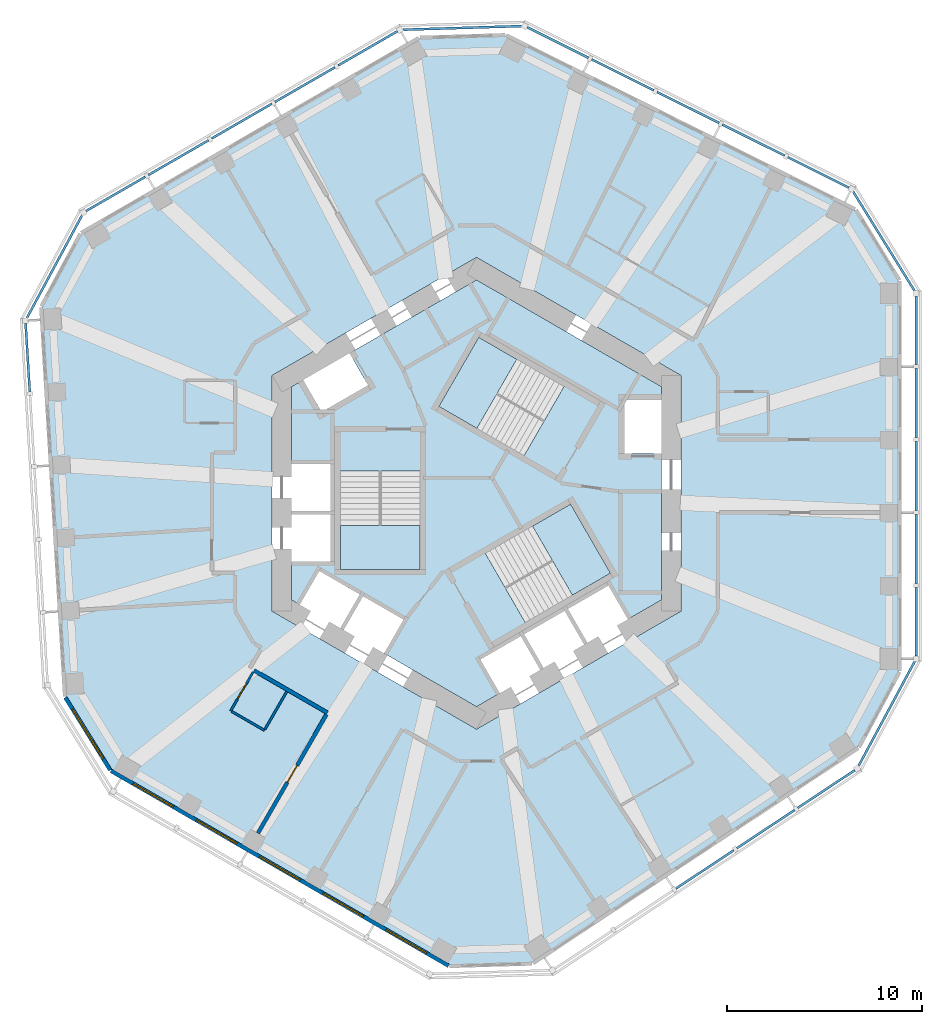
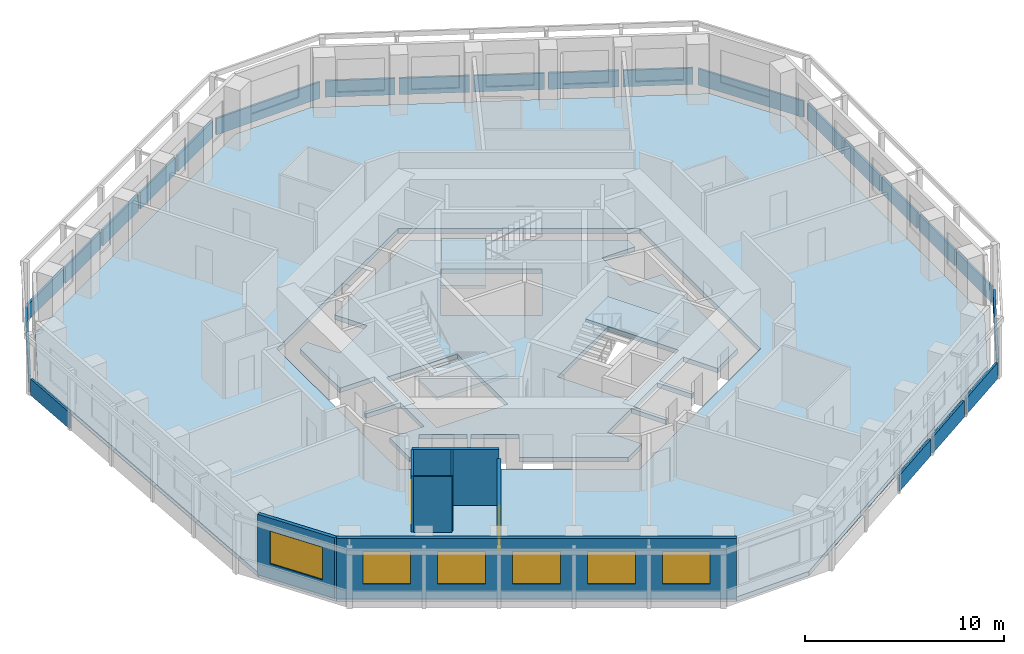
# One storey, part 3 of 11: 23 plates, 7 walls, 6 windows, 5 slabs, 2 doors, 8 openings, 12 elements without a shape of their own.
"""IFC4 building model written with IfcOpenShell, lengths in metres."""

from ifc_helpers import new_model, si_unit, direction, frame, frame_2d, origin, origin_2d, place, context, subcontext, project, spatial, polyline, rectangle, outline, extrude, material, layer, layer_set, type_object, element, fill, aggregate, save


model = new_model("IFC4")

# Units and contexts
model_context = context("Model", 3, precision=1e-05, world=origin(), true_north=direction((0.0, 1.0)))
body_context = subcontext(model_context, "Body", "Model", "MODEL_VIEW")
ifc_project = project(units=[si_unit("LENGTHUNIT", "METRE"), si_unit("AREAUNIT", "SQUARE_METRE"), si_unit("VOLUMEUNIT", "CUBIC_METRE"), si_unit("PLANEANGLEUNIT", "RADIAN"), si_unit("MASSUNIT", "GRAM", prefix="KILO")], contexts=[model_context])

# Site, building, storey
site_placement = place(None, origin())
site = spatial("IfcSite", under=ifc_project, at=site_placement, CompositionType="ELEMENT")
building_placement = place(site_placement, origin())
building = spatial("IfcBuilding", under=site, at=building_placement, Name="Vanh Sen Convention Tower", CompositionType="ELEMENT")
storey_placement = place(building_placement, frame((0.0, 0.0, 179.89990234375)))
storey = spatial("IfcBuildingStorey", under=building, at=storey_placement, Name="L44", CompositionType="ELEMENT", Elevation=179.89990234375)

# Slabs
ifc_material_1 = material(Name="Concrete C40/50", Category="concrete")
ifc_layer_1 = layer(ifc_material_1, 0.280029296875)
ifc_layer_set_1 = layer_set([ifc_layer_1], Name="Concrete C40/50")
slab_type_1 = type_object("IfcSlabType", Name="Core slab 280", PredefinedType="FLOOR", material=ifc_layer_set_1)
slab_1_placement = place(storey_placement, frame((0.0, 0.0, -0.27978515625)))
element("IfcSlab", 1, at=slab_1_placement, inside=storey, type_object=slab_type_1, Name="Core slab L44", PredefinedType="FLOOR", context=body_context, shape_type="SweptSolid", body=[
    extrude(outline(polyline([(0.0, 10.9697265625), (9.5, 5.48486328125), (9.5, 4.800048828125), (7.60009765625, 4.800048828125), (7.60009765625, 2.050048828125), (9.5, 2.050048828125), (9.5, -5.48486328125), (7.781005859375, -6.477294921875), (6.781005859375, -4.7451171875), (4.70263671875, -5.9453125), (5.70263671875, -7.67724609375), (5.529296875, -7.777099609375), (4.529296875, -6.045166015625), (2.450927734375, -7.2451171875), (3.450927734375, -8.977294921875), (3.27783203125, -9.0771484375), (2.27783203125, -7.34521484375), (0.19921875, -8.545166015625), (1.19921875, -10.277099609375), (0.0, -10.9697265625), (-4.75, -8.227294921875), (-3.75, -6.4951171875), (-5.82861328125, -5.295166015625), (-6.82861328125, -7.027099609375), (-7.001708984375, -6.92724609375), (-6.001708984375, -5.1953125), (-8.080078125, -3.9951171875), (-9.080078125, -5.727294921875), (-9.5, -5.48486328125), (-9.5, -3.5), (-7.5, -3.5), (-7.5, -1.10009765625), (-9.5, -1.10009765625), (-9.5, -0.89990234375), (-7.5, -0.89990234375), (-7.5, 1.5), (-9.5, 1.5), (-9.5, 5.48486328125), (-8.906982421875, 5.8271484375), (-7.956787109375, 4.181884765625), (-5.575439453125, 5.556884765625), (-6.525390625, 7.2021484375), (0.0, 10.9697265625)]), holes=[polyline([(-7.0, 1.1494140625), (-7.0, -3.909912109375), (-2.89990234375, -3.909912109375), (-2.89990234375, 1.1494140625), (-7.0, 1.1494140625)]), polyline([(2.504638671875, -6.63671875), (6.88623046875, -4.107177734375), (4.836181640625, -0.556396484375), (0.45458984375, -3.086181640625), (2.504638671875, -6.63671875)]), polyline([(0.11376953125, 8.01708984375), (-1.936279296875, 4.466552734375), (2.4453125, 1.936767578125), (4.495361328125, 5.487548828125), (0.11376953125, 8.01708984375)])]), origin(), (0.0, 0.0, 1.0), 0.27978515625),
])
ifc_layer_2 = layer(ifc_material_1, 0.280029296875)
ifc_layer_set_2 = layer_set([ifc_layer_2], Name="Concrete C40/50")
slab_type_2 = type_object("IfcSlabType", Name="Floor slab 280 REI 120", PredefinedType="FLOOR", material=ifc_layer_set_2)
slab_2_placement = place(storey_placement, frame((0.0, 0.0, -0.27978515625)))
element("IfcSlab", 2, at=slab_2_placement, inside=storey, type_object=slab_type_2, Name="Floor slab L44 tower", PredefinedType="FLOOR", context=body_context, shape_type="SweptSolid", body=[
    extrude(outline(polyline([(21.699951171875, -9.15087890625), (21.699951171875, 10.91943359375), (19.454833984375, 14.5478515625), (1.492919921875, 23.503173828125), (-2.925048828125, 23.368408203125), (-20.306640625, 13.3330078125), (-22.326171875, 9.574462890625), (-21.100830078125, -10.458740234375), (-18.77490234375, -14.21728515625), (-1.393310546875, -24.25244140625), (2.871337890625, -24.122314453125), (19.60791015625, -13.04443359375), (21.699951171875, -9.15087890625)]), holes=[polyline([(0.0, 12.12451171875), (-10.5, 6.062255859375), (-10.5, -6.062255859375), (0.0, -12.12451171875), (10.5, -6.062255859375), (10.5, 6.062255859375), (0.0, 12.12451171875)])]), origin(), (0.0, 0.0, 1.0), 0.27978515625),
])

# Curtain wall, plates
ifc_material_2 = material(Name="Concrete C50/60", Category="concrete")
curtain_wall_type = type_object("IfcCurtainWallType", Name="Outer skin office zone", PredefinedType="NOTDEFINED", material=ifc_material_2)
curtain_wall_1_placement = place(storey_placement, origin())
curtain_wall_1 = element("IfcCurtainWall", 3, at=curtain_wall_1_placement, inside=storey, type_object=curtain_wall_type, Name="OUTER SKIN E L44", PredefinedType="NOTDEFINED")
ifc_layer_3 = layer(ifc_material_2, 0.1201171875)
ifc_layer_set_3 = layer_set([ifc_layer_3], Name="Concrete C50/60")
plate_type = type_object("IfcPlateType", Name="Outer skin precast screen panel 120", PredefinedType="CURTAIN_PANEL", material=ifc_layer_set_3)
plate_1_placement = place(storey_placement, frame((22.60009765625, -6.59912109375, 0.0), z_axis=(0.0, 0.0, 1.0), x_axis=(0.0, 1.0, 0.0)))
plate_1 = element("IfcPlate", 4, at=plate_1_placement, type_object=plate_type, Name="OUTER SKIN screen panel E-1", PredefinedType="CURTAIN_PANEL", context=body_context, shape_type="SweptSolid", body=[
    extrude(rectangle(XDim=3.504150390625, YDim=0.1201171875, at=origin_2d()), origin(), (0.0, 0.0, 1.0), 1.0),
])
plate_2_placement = place(storey_placement, frame((22.60009765625, -2.869873046875, 0.0), z_axis=(0.0, 0.0, 1.0), x_axis=(0.0, 1.0, 0.0)))
plate_2 = element("IfcPlate", 5, at=plate_2_placement, type_object=plate_type, Name="OUTER SKIN screen panel E-2", PredefinedType="CURTAIN_PANEL", context=body_context, shape_type="SweptSolid", body=[
    extrude(rectangle(XDim=3.55419921875, YDim=0.1201171875, at=origin_2d()), origin(), (0.0, 0.0, 1.0), 1.0),
])
plate_3_placement = place(storey_placement, frame((22.60009765625, 0.88427734375, 0.0), z_axis=(0.0, 0.0, 1.0), x_axis=(0.0, 1.0, 0.0)))
plate_3 = element("IfcPlate", 6, at=plate_3_placement, type_object=plate_type, Name="OUTER SKIN screen panel E-3", PredefinedType="CURTAIN_PANEL", context=body_context, shape_type="SweptSolid", body=[
    extrude(rectangle(XDim=3.55419921875, YDim=0.1201171875, at=origin_2d()), origin(), (0.0, 0.0, 1.0), 1.0),
])
plate_4_placement = place(storey_placement, frame((22.60009765625, 4.63818359375, 0.0), z_axis=(0.0, 0.0, 1.0), x_axis=(0.0, 1.0, 0.0)))
plate_4 = element("IfcPlate", 7, at=plate_4_placement, type_object=plate_type, Name="OUTER SKIN screen panel E-4", PredefinedType="CURTAIN_PANEL", context=body_context, shape_type="SweptSolid", body=[
    extrude(rectangle(XDim=3.55419921875, YDim=0.1201171875, at=origin_2d()), origin(), (0.0, 0.0, 1.0), 1.0),
])
plate_5_placement = place(storey_placement, frame((22.60009765625, 8.367431640625, 0.0), z_axis=(0.0, 0.0, 1.0), x_axis=(0.0, 1.0, 0.0)))
plate_5 = element("IfcPlate", 8, at=plate_5_placement, type_object=plate_type, Name="OUTER SKIN screen panel E-5", PredefinedType="CURTAIN_PANEL", context=body_context, shape_type="SweptSolid", body=[
    extrude(rectangle(XDim=3.504150390625, YDim=0.1201171875, at=origin_2d()), origin(), (0.0, 0.0, 1.0), 1.0),
])
aggregate(curtain_wall_1, [plate_1, plate_2, plate_3, plate_4, plate_5])

# Curtain wall, plate
curtain_wall_2_placement = place(storey_placement, origin())
curtain_wall_2 = element("IfcCurtainWall", 9, at=curtain_wall_2_placement, inside=storey, type_object=curtain_wall_type, Name="OUTER SKIN CH1 L44", PredefinedType="NOTDEFINED")
plate_6_placement = place(storey_placement, frame((20.937255859375, 12.956298828125, 0.0), z_axis=(0.0, 0.0, 1.0), x_axis=(-0.5262035346, 0.850358653848, 0.0)))
plate_6 = element("IfcPlate", 10, at=plate_6_placement, type_object=plate_type, Name="OUTER SKIN screen panel CH1-1", PredefinedType="CURTAIN_PANEL", context=body_context, shape_type="SweptSolid", body=[
    extrude(rectangle(XDim=6.01953125, YDim=0.1201171875, at=origin_2d()), origin(), (0.0, 0.0, 1.0), 1.0),
])
aggregate(curtain_wall_2, [plate_6])

# Curtain wall, plates
curtain_wall_3_placement = place(storey_placement, origin())
curtain_wall_3 = element("IfcCurtainWall", 11, at=curtain_wall_3_placement, inside=storey, type_object=curtain_wall_type, Name="OUTER SKIN NE L44", PredefinedType="NOTDEFINED")
plate_7_placement = place(storey_placement, frame((17.572509765625, 16.491943359375, 0.0), z_axis=(0.0, 0.0, 1.0), x_axis=(-0.894943706551, 0.446179069551, 0.0)))
plate_7 = element("IfcPlate", 12, at=plate_7_placement, type_object=plate_type, Name="OUTER SKIN screen panel NE-1", PredefinedType="CURTAIN_PANEL", context=body_context, shape_type="SweptSolid", body=[
    extrude(rectangle(XDim=3.504150390625, YDim=0.1201171875, at=origin_2d()), origin(), (0.0, 0.0, 1.0), 1.0),
])
plate_8_placement = place(storey_placement, frame((14.235107421875, 18.156005859375, 0.0), z_axis=(0.0, 0.0, 1.0), x_axis=(-0.894932804072, 0.446200937017, 0.0)))
plate_8 = element("IfcPlate", 13, at=plate_8_placement, type_object=plate_type, Name="OUTER SKIN screen panel NE-2", PredefinedType="CURTAIN_PANEL", context=body_context, shape_type="SweptSolid", body=[
    extrude(rectangle(XDim=3.55419921875, YDim=0.1201171875, at=origin_2d()), origin(), (0.0, 0.0, 1.0), 1.0),
])
plate_9_placement = place(storey_placement, frame((10.87548828125, 19.8310546875, 0.0), z_axis=(0.0, 0.0, 1.0), x_axis=(-0.894932804072, 0.446200937017, 0.0)))
plate_9 = element("IfcPlate", 14, at=plate_9_placement, type_object=plate_type, Name="OUTER SKIN screen panel NE-3", PredefinedType="CURTAIN_PANEL", context=body_context, shape_type="SweptSolid", body=[
    extrude(rectangle(XDim=3.55419921875, YDim=0.1201171875, at=origin_2d()), origin(), (0.0, 0.0, 1.0), 1.0),
])
plate_10_placement = place(storey_placement, frame((7.515625, 21.506103515625, 0.0), z_axis=(0.0, 0.0, 1.0), x_axis=(-0.894932804072, 0.446200937017, 0.0)))
plate_10 = element("IfcPlate", 15, at=plate_10_placement, type_object=plate_type, Name="OUTER SKIN screen panel NE-4", PredefinedType="CURTAIN_PANEL", context=body_context, shape_type="SweptSolid", body=[
    extrude(rectangle(XDim=3.55419921875, YDim=0.1201171875, at=origin_2d()), origin(), (0.0, 0.0, 1.0), 1.0),
])
plate_11_placement = place(storey_placement, frame((4.178466796875, 23.169921875, 0.0), z_axis=(0.0, 0.0, 1.0), x_axis=(-0.894943706551, 0.446179069551, 0.0)))
plate_11 = element("IfcPlate", 16, at=plate_11_placement, type_object=plate_type, Name="OUTER SKIN screen panel NE-5", PredefinedType="CURTAIN_PANEL", context=body_context, shape_type="SweptSolid", body=[
    extrude(rectangle(XDim=3.504150390625, YDim=0.1201171875, at=origin_2d()), origin(), (0.0, 0.0, 1.0), 1.0),
])
aggregate(curtain_wall_3, [plate_7, plate_8, plate_9, plate_10, plate_11])

# Curtain wall, plate
curtain_wall_4_placement = place(storey_placement, origin())
curtain_wall_4 = element("IfcCurtainWall", 17, at=curtain_wall_4_placement, inside=storey, type_object=curtain_wall_type, Name="OUTER SKIN CH2 L44", PredefinedType="NOTDEFINED")
plate_12_placement = place(storey_placement, frame((-0.73095703125, 23.920654296875, 0.0), z_axis=(0.0, 0.0, 1.0), x_axis=(-0.999533590837, -0.03053851321, 0.0)))
plate_12 = element("IfcPlate", 18, at=plate_12_placement, type_object=plate_type, Name="OUTER SKIN screen panel CH2-1", PredefinedType="CURTAIN_PANEL", context=body_context, shape_type="SweptSolid", body=[
    extrude(rectangle(XDim=6.1171875, YDim=0.1201171875, at=origin_2d()), origin(), (0.0, 0.0, 1.0), 1.0),
])
aggregate(curtain_wall_4, [plate_12])

# Curtain wall, plates
curtain_wall_5_placement = place(storey_placement, origin())
curtain_wall_5 = element("IfcCurtainWall", 19, at=curtain_wall_5_placement, inside=storey, type_object=curtain_wall_type, Name="OUTER SKIN NW L44", PredefinedType="NOTDEFINED")
plate_13_placement = place(storey_placement, frame((-5.585205078125, 22.87158203125, 0.0), z_axis=(0.0, 0.0, 1.0), x_axis=(-0.866035002936, -0.499983373414, 0.0)))
plate_13 = element("IfcPlate", 20, at=plate_13_placement, type_object=plate_type, Name="OUTER SKIN screen panel NW-1", PredefinedType="CURTAIN_PANEL", context=body_context, shape_type="SweptSolid", body=[
    extrude(rectangle(XDim=3.504150390625, YDim=0.1201171875, at=origin_2d()), origin(), (0.0, 0.0, 1.0), 1.0),
])
plate_14_placement = place(storey_placement, frame((-8.814697265625, 21.007080078125, 0.0), z_axis=(0.0, 0.0, 1.0), x_axis=(-0.866016677006, -0.500015114919, 0.0)))
plate_14 = element("IfcPlate", 21, at=plate_14_placement, type_object=plate_type, Name="OUTER SKIN screen panel NW-2", PredefinedType="CURTAIN_PANEL", context=body_context, shape_type="SweptSolid", body=[
    extrude(rectangle(XDim=3.55419921875, YDim=0.1201171875, at=origin_2d()), origin(), (0.0, 0.0, 1.0), 1.0),
])
plate_15_placement = place(storey_placement, frame((-12.06591796875, 19.1298828125, 0.0), z_axis=(0.0, 0.0, 1.0), x_axis=(-0.866035002936, -0.499983373414, 0.0)))
plate_15 = element("IfcPlate", 22, at=plate_15_placement, type_object=plate_type, Name="OUTER SKIN screen panel NW-3", PredefinedType="CURTAIN_PANEL", context=body_context, shape_type="SweptSolid", body=[
    extrude(rectangle(XDim=3.55419921875, YDim=0.1201171875, at=origin_2d()), origin(), (0.0, 0.0, 1.0), 1.0),
])
plate_16_placement = place(storey_placement, frame((-15.31689453125, 17.2529296875, 0.0), z_axis=(0.0, 0.0, 1.0), x_axis=(-0.866016677006, -0.500015114919, 0.0)))
plate_16 = element("IfcPlate", 23, at=plate_16_placement, type_object=plate_type, Name="OUTER SKIN screen panel NW-4", PredefinedType="CURTAIN_PANEL", context=body_context, shape_type="SweptSolid", body=[
    extrude(rectangle(XDim=3.55419921875, YDim=0.1201171875, at=origin_2d()), origin(), (0.0, 0.0, 1.0), 1.0),
])
plate_17_placement = place(storey_placement, frame((-18.54638671875, 15.388427734375, 0.0), z_axis=(0.0, 0.0, 1.0), x_axis=(-0.866035002936, -0.499983373414, 0.0)))
plate_17 = element("IfcPlate", 24, at=plate_17_placement, type_object=plate_type, Name="OUTER SKIN screen panel NW-5", PredefinedType="CURTAIN_PANEL", context=body_context, shape_type="SweptSolid", body=[
    extrude(rectangle(XDim=3.504150390625, YDim=0.1201171875, at=origin_2d()), origin(), (0.0, 0.0, 1.0), 1.0),
])
aggregate(curtain_wall_5, [plate_13, plate_14, plate_15, plate_16, plate_17])

# Curtain wall, plate
curtain_wall_6_placement = place(storey_placement, origin())
curtain_wall_6 = element("IfcCurtainWall", 25, at=curtain_wall_6_placement, inside=storey, type_object=curtain_wall_type, Name="OUTER SKIN CH3 L44", PredefinedType="NOTDEFINED")
plate_18_placement = place(storey_placement, frame((-21.689208984375, 11.654052734375, 0.0), z_axis=(0.0, 0.0, 1.0), x_axis=(-0.47331812974, -0.880891564303, 0.0)))
plate_18 = element("IfcPlate", 26, at=plate_18_placement, type_object=plate_type, Name="OUTER SKIN screen panel CH3-1", PredefinedType="CURTAIN_PANEL", context=body_context, shape_type="SweptSolid", body=[
    extrude(rectangle(XDim=6.019287109375, YDim=0.1201171875, at=origin_2d()), origin(), (0.0, 0.0, 1.0), 1.0),
])
aggregate(curtain_wall_6, [plate_18])

curtain_wall_7_placement = place(storey_placement, origin())
curtain_wall_7 = element("IfcCurtainWall", 27, at=curtain_wall_7_placement, inside=storey, type_object=curtain_wall_type, Name="OUTER SKIN W L44", PredefinedType="NOTDEFINED")
plate_19_placement = place(storey_placement, frame((-23.068603515625, 6.97216796875, 0.0), z_axis=(0.0, 0.0, 1.0), x_axis=(0.061053765756, -0.998134478759, 0.0)))
plate_19 = element("IfcPlate", 28, at=plate_19_placement, type_object=plate_type, Name="OUTER SKIN screen panel W-1", PredefinedType="CURTAIN_PANEL", context=body_context, shape_type="SweptSolid", body=[
    extrude(rectangle(XDim=3.504150390625, YDim=0.1201171875, at=origin_2d()), origin(), (0.0, 0.0, 1.0), 1.0),
])
aggregate(curtain_wall_7, [plate_19])

# Curtain wall, plates
curtain_wall_8_placement = place(storey_placement, origin())
curtain_wall_8 = element("IfcCurtainWall", 29, at=curtain_wall_8_placement, inside=storey, type_object=curtain_wall_type, Name="OUTER SKIN SE L44", PredefinedType="NOTDEFINED")
plate_20_placement = place(storey_placement, frame((11.736328125, -19.333984375, 0.0), z_axis=(0.0, 0.0, 1.0), x_axis=(0.833877152158, 0.551950083892, 0.0)))
plate_20 = element("IfcPlate", 30, at=plate_20_placement, type_object=plate_type, Name="OUTER SKIN screen panel SE-3", PredefinedType="CURTAIN_PANEL", context=body_context, shape_type="SweptSolid", body=[
    extrude(rectangle(XDim=3.55419921875, YDim=0.1201171875, at=origin_2d()), origin(), (0.0, 0.0, 1.0), 1.0),
])
plate_21_placement = place(storey_placement, frame((14.866943359375, -17.26171875, 0.0), z_axis=(0.0, 0.0, 1.0), x_axis=(0.833889675294, 0.551931163677, 0.0)))
plate_21 = element("IfcPlate", 31, at=plate_21_placement, type_object=plate_type, Name="OUTER SKIN screen panel SE-4", PredefinedType="CURTAIN_PANEL", context=body_context, shape_type="SweptSolid", body=[
    extrude(rectangle(XDim=3.55419921875, YDim=0.1201171875, at=origin_2d()), origin(), (0.0, 0.0, 1.0), 1.0),
])
plate_22_placement = place(storey_placement, frame((17.9765625, -15.20361328125, 0.0), z_axis=(0.0, 0.0, 1.0), x_axis=(0.833889675294, 0.551931163677, 0.0)))
plate_22 = element("IfcPlate", 32, at=plate_22_placement, type_object=plate_type, Name="OUTER SKIN screen panel SE-5", PredefinedType="CURTAIN_PANEL", context=body_context, shape_type="SweptSolid", body=[
    extrude(rectangle(XDim=3.504150390625, YDim=0.1201171875, at=origin_2d()), origin(), (0.0, 0.0, 1.0), 1.0),
])
aggregate(curtain_wall_8, [plate_20, plate_21, plate_22])

# Curtain wall, plate
curtain_wall_9_placement = place(storey_placement, origin())
curtain_wall_9 = element("IfcCurtainWall", 33, at=curtain_wall_9_placement, inside=storey, type_object=curtain_wall_type, Name="OUTER SKIN CH6 L44", PredefinedType="NOTDEFINED")
plate_23_placement = place(storey_placement, frame((21.081298828125, -11.327392578125, 0.0), z_axis=(0.0, 0.0, 1.0), x_axis=(0.473321204628, 0.880889912105, 0.0)))
plate_23 = element("IfcPlate", 34, at=plate_23_placement, type_object=plate_type, Name="OUTER SKIN screen panel CH6-1", PredefinedType="CURTAIN_PANEL", context=body_context, shape_type="SweptSolid", body=[
    extrude(rectangle(XDim=6.1171875, YDim=0.1201171875, at=origin_2d()), origin(), (0.0, 0.0, 1.0), 1.0),
])
aggregate(curtain_wall_9, [plate_23])

# Stair, slab
ifc_material_3 = material(Name="Concrete C50/60", Category="concrete")
stair_type_1 = type_object("IfcStairType", Name="Exit stair ST1 22 risers at 168.2", PredefinedType="HALF_TURN_STAIR", material=ifc_material_3)
stair_1_placement = place(storey_placement, origin())
stair_1 = element("IfcStair", 35, at=stair_1_placement, inside=storey, type_object=stair_type_1, Name="Exit stair ST1 L44", PredefinedType="HALF_TURN_STAIR")
ifc_layer_4 = layer(ifc_material_1, 0.199951171875)
ifc_layer_set_4 = layer_set([ifc_layer_4], Name="Concrete C40/50")
slab_type_3 = type_object("IfcSlabType", Name="Stair landing 200", PredefinedType="LANDING", material=ifc_layer_set_4)
slab_3_placement = place(storey_placement, frame((0.0, 0.0, 1.650146484375)))
slab_3 = element("IfcSlab", 36, at=slab_3_placement, type_object=slab_type_3, Name="ST1 landing 1", PredefinedType="LANDING", context=body_context, shape_type="SweptSolid", body=[
    extrude(outline(polyline([(2.07177734375, 6.88671875), (0.11376953125, 8.01708984375), (-1.936279296875, 4.466552734375), (0.021728515625, 3.336181640625), (2.07177734375, 6.88671875)])), origin(), (0.0, 0.0, 1.0), 0.199951171875),
])
aggregate(stair_1, [slab_3])

stair_type_2 = type_object("IfcStairType", Name="Exit stair ST2 22 risers at 168.2", PredefinedType="HALF_TURN_STAIR", material=ifc_material_3)
stair_2_placement = place(storey_placement, origin())
stair_2 = element("IfcStair", 37, at=stair_2_placement, inside=storey, type_object=stair_type_2, Name="Exit stair ST2 L44", PredefinedType="HALF_TURN_STAIR")
slab_4_placement = place(storey_placement, frame((0.0, 0.0, 1.650146484375)))
slab_4 = element("IfcSlab", 38, at=slab_4_placement, type_object=slab_type_3, Name="ST2 landing 1", PredefinedType="LANDING", context=body_context, shape_type="SweptSolid", body=[
    extrude(outline(polyline([(-7.0, -1.6494140625), (-7.0, -3.909912109375), (-2.89990234375, -3.909912109375), (-2.89990234375, -1.6494140625), (-7.0, -1.6494140625)])), origin(), (0.0, 0.0, 1.0), 0.199951171875),
])
aggregate(stair_2, [slab_4])

stair_type_3 = type_object("IfcStairType", Name="Exit stair ST3 22 risers at 168.2", PredefinedType="HALF_TURN_STAIR", material=ifc_material_3)
stair_3_placement = place(storey_placement, origin())
stair_3 = element("IfcStair", 39, at=stair_3_placement, inside=storey, type_object=stair_type_3, Name="Exit stair ST3 L44", PredefinedType="HALF_TURN_STAIR")
slab_5_placement = place(storey_placement, frame((0.0, 0.0, 1.650146484375)))
slab_5 = element("IfcSlab", 40, at=slab_5_placement, type_object=slab_type_3, Name="ST3 landing 1", PredefinedType="LANDING", context=body_context, shape_type="SweptSolid", body=[
    extrude(outline(polyline([(4.92822265625, -5.237548828125), (6.88623046875, -4.107177734375), (4.836181640625, -0.556396484375), (2.87841796875, -1.686767578125), (4.92822265625, -5.237548828125)])), origin(), (0.0, 0.0, 1.0), 0.199951171875),
])
aggregate(stair_3, [slab_5])

# Wall, opening, door
ifc_material_4 = material(Name="Moisture-resistant gypsum board on steel studs", Category="steel")
ifc_layer_5 = layer(ifc_material_4, 0.1201171875)
ifc_layer_set_5 = layer_set([ifc_layer_5], Name="Moisture-resistant gypsum board on steel studs")
wall_type_1 = type_object("IfcWallType", Name="Bathroom partition 120", PredefinedType="PARTITIONING", material=ifc_layer_set_5)
wall_1_placement = place(storey_placement, frame((-12.634521484375, -11.181884765625, 0.0), z_axis=(0.0, 0.0, 1.0), x_axis=(0.499952165731, 0.866053019151, 0.0)))
wall_1 = element("IfcWall", 41, at=wall_1_placement, inside=storey, type_object=wall_type_1, Name="Bathroom partition 120", PredefinedType="PARTITIONING", context=body_context, shape_type="SweptSolid", body=[
    extrude(rectangle(XDim=2.300048828125, YDim=0.1201171875, at=frame_2d((1.14990234375, 0.0))), origin(), (0.0, 0.0, 1.0), 3.420166015625),
])
opening_1_placement = place(wall_1_placement, frame((0.699951171875, 0.0, 0.0)))
opening_1 = element("IfcOpeningElement", 42, at=opening_1_placement, cuts=wall_1, Name="Opening D44113", PredefinedType="OPENING", context=body_context, shape_type="SweptSolid", body=[
    extrude(rectangle(XDim=0.89990234375, YDim=2.10009765625, at=frame_2d((0.449951171875, 1.050048828125))), frame((0.0, 0.070068359375, 0.0), z_axis=(0.0, -1.0, 0.0), x_axis=(1.0, 0.0, 0.0)), (0.0, 0.0, 1.0), 0.14013671875),
])
ifc_material_5 = material(Name="Laminate door in steel frame", Category="steel")
door_type_1 = type_object("IfcDoorType", Name="Room internal door 900", OperationType="SINGLE_SWING_LEFT", PredefinedType="DOOR", material=ifc_material_5)
door_1_placement = place(opening_1_placement, origin())
door_1 = element("IfcDoor", 43, at=door_1_placement, inside=storey, type_object=door_type_1, Name="Internal room door D44113", OperationType="SINGLE_SWING_LEFT", OverallHeight=2.10009765625, OverallWidth=0.89990234375, PredefinedType="DOOR", context=body_context, shape_type="SweptSolid", body=[
    extrude(rectangle(XDim=0.89990234375, YDim=2.10009765625, at=frame_2d((0.449951171875, 1.050048828125))), frame((0.0, 0.02490234375, 0.0), z_axis=(0.0, -1.0, 0.0), x_axis=(1.0, 0.0, 0.0)), (0.0, 0.0, 1.0), 0.050048828125),
])
fill(opening_1, door_1)

# Walls
wall_2_placement = place(storey_placement, frame((-10.902587890625, -12.181884765625, 0.0), z_axis=(0.0, 0.0, 1.0), x_axis=(-0.866011626733, 0.500023861795, 0.0)))
element("IfcWall", 44, at=wall_2_placement, inside=storey, type_object=wall_type_1, Name="Bathroom partition 120", PredefinedType="PARTITIONING", context=body_context, shape_type="SweptSolid", body=[
    extrude(rectangle(XDim=1.93994140625, YDim=0.1201171875, at=frame_2d((0.969970703125, 0.0))), origin(), (0.0, 0.0, 1.0), 3.420166015625),
])
wall_3_placement = place(storey_placement, frame((-9.752685546875, -10.18994140625, 0.0), z_axis=(0.0, 0.0, 1.0), x_axis=(-0.49994888933, -0.866054910533, 0.0)))
element("IfcWall", 45, at=wall_3_placement, inside=storey, type_object=wall_type_1, Name="Bathroom partition 120", PredefinedType="PARTITIONING", context=body_context, shape_type="SweptSolid", body=[
    extrude(rectangle(XDim=2.239990234375, YDim=0.1201171875, at=frame_2d((1.1201171875, 0.0))), origin(), (0.0, 0.0, 1.0), 3.420166015625),
])
ifc_material_6 = material(Name="Gypsum board on steel studs with mineral wool", Category="steel")
ifc_layer_6 = layer(ifc_material_6, 0.199951171875)
ifc_layer_set_6 = layer_set([ifc_layer_6], Name="Gypsum board on steel studs with mineral wool")
wall_type_2 = type_object("IfcWallType", Name="Corridor partition wall 200", PredefinedType="PARTITIONING", material=ifc_layer_set_6)
wall_4_placement = place(storey_placement, frame((-11.4345703125, -9.103271484375, 0.0), z_axis=(0.0, 0.0, 1.0), x_axis=(0.866007399799, -0.500031182522, 0.0)))
element("IfcWall", 46, at=wall_4_placement, inside=storey, type_object=wall_type_2, Name="Corridor partition wall 200", PredefinedType="PARTITIONING", context=body_context, shape_type="SweptSolid", body=[
    extrude(rectangle(XDim=4.358154296875, YDim=0.199951171875, at=frame_2d((2.17919921875, 0.0))), origin(), (0.0, 0.0, 1.0), 3.420166015625),
])

# Wall, opening, door
wall_5_placement = place(storey_placement, frame((-11.23486328125, -17.4736328125, 0.0), z_axis=(0.0, 0.0, 1.0), x_axis=(0.500009260695, 0.866020057054, 0.0)))
wall_5 = element("IfcWall", 47, at=wall_5_placement, inside=storey, type_object=wall_type_2, Name="Corridor partition wall 200", PredefinedType="PARTITIONING", context=body_context, shape_type="SweptSolid", body=[
    extrude(rectangle(XDim=7.049072265625, YDim=0.199951171875, at=frame_2d((3.5244140625, 0.0))), origin(), (0.0, 0.0, 1.0), 2.8701171875),
])
opening_2_placement = place(wall_5_placement, frame((3.0244140625, 0.0, 0.0)))
opening_2 = element("IfcOpeningElement", 48, at=opening_2_placement, cuts=wall_5, Name="Opening D44112", PredefinedType="OPENING", context=body_context, shape_type="SweptSolid", body=[
    extrude(rectangle(XDim=1.0, YDim=2.10009765625, at=frame_2d((0.5, 1.050048828125))), frame((0.0, 0.10986328125, 0.0), z_axis=(0.0, -1.0, 0.0), x_axis=(1.0, 0.0, 0.0)), (0.0, 0.0, 1.0), 0.219970703125),
])
ifc_material_7 = material(Name="Glazed fire door in steel frame", Category="steel")
door_type_2 = type_object("IfcDoorType", Name="Tenant entrance door 1000", OperationType="SINGLE_SWING_LEFT", PredefinedType="DOOR", material=ifc_material_7)
door_2_placement = place(opening_2_placement, origin())
door_2 = element("IfcDoor", 49, at=door_2_placement, inside=storey, type_object=door_type_2, Name="Tenant suite entrance door D44112", OperationType="SINGLE_SWING_LEFT", OverallHeight=2.10009765625, OverallWidth=1.0, PredefinedType="DOOR", context=body_context, shape_type="SweptSolid", body=[
    extrude(rectangle(XDim=1.0, YDim=2.10009765625, at=frame_2d((0.5, 1.050048828125))), frame((0.0, 0.02490234375, 0.0), z_axis=(0.0, -1.0, 0.0), x_axis=(1.0, 0.0, 0.0)), (0.0, 0.0, 1.0), 0.050048828125),
])
fill(opening_2, door_2)

# Wall, opening, window
ifc_material_8 = material(Name="Insulated lightweight infill wall")
ifc_layer_7 = layer(ifc_material_8, 0.199951171875)
ifc_layer_set_7 = layer_set([ifc_layer_7], Name="Insulated lightweight infill wall")
wall_type_3 = type_object("IfcWallType", Name="External wall 200", PredefinedType="STANDARD", material=ifc_layer_set_7)
wall_6_placement = place(storey_placement, frame((-21.13671875, -10.49560546875, 0.0), z_axis=(0.0, 0.0, 1.0), x_axis=(0.526178661629, -0.850374044786, 0.0)))
wall_6 = element("IfcWall", 50, at=wall_6_placement, inside=storey, type_object=wall_type_3, Name="External wall CH4 L44", PredefinedType="STANDARD", context=body_context, shape_type="SweptSolid", body=[
    extrude(rectangle(XDim=4.394775390625, YDim=0.199951171875, at=frame_2d((2.197265625, 0.0))), origin(), (0.0, 0.0, 1.0), 3.7001953125),
])
opening_3_placement = place(wall_6_placement, frame((0.697509765625, 0.0, 0.89990234375)))
opening_3 = element("IfcOpeningElement", 51, at=opening_3_placement, cuts=wall_6, Name="Opening WO2-CH41", PredefinedType="OPENING", context=body_context, shape_type="SweptSolid", body=[
    extrude(rectangle(XDim=3.0, YDim=2.0, at=frame_2d((1.5, 1.0))), frame((0.0, 0.10986328125, 0.0), z_axis=(0.0, -1.0, 0.0), x_axis=(1.0, 0.0, 0.0)), (0.0, 0.0, 1.0), 0.219970703125),
])
ifc_material_9 = material(Name="Aluminium frame with clear low-emissivity glass", Category="aluminium")
window_type_1 = type_object("IfcWindowType", Name="Office window 3000 x 2000", PartitioningType="SINGLE_PANEL", PredefinedType="WINDOW", material=ifc_material_9)
window_1_placement = place(opening_3_placement, origin())
window_1 = element("IfcWindow", 52, at=window_1_placement, inside=storey, type_object=window_type_1, Name="Window WO2-CH41", OverallHeight=2.0, OverallWidth=3.0, PartitioningType="SINGLE_PANEL", PredefinedType="WINDOW", context=body_context, shape_type="SweptSolid", body=[
    extrude(rectangle(XDim=3.0, YDim=2.0, at=frame_2d((1.5, 1.0))), frame((0.0, 0.030029296875, 0.0), z_axis=(0.0, -1.0, 0.0), x_axis=(1.0, 0.0, 0.0)), (0.0, 0.0, 1.0), 0.06005859375),
])
fill(opening_3, window_1)

# Wall, openings, windows
wall_7_placement = place(storey_placement, frame((-18.7890625, -14.266845703125, 0.0), z_axis=(0.0, 0.0, 1.0), x_axis=(0.866023315909, -0.500003616288, 0.0)))
wall_7 = element("IfcWall", 53, at=wall_7_placement, inside=storey, type_object=wall_type_3, Name="External wall SW L44", PredefinedType="STANDARD", context=body_context, shape_type="SweptSolid", body=[
    extrude(rectangle(XDim=20.043701171875, YDim=0.199951171875, at=frame_2d((10.02197265625, 0.0))), origin(), (0.0, 0.0, 1.0), 3.7001953125),
])
opening_4_placement = place(wall_7_placement, frame((1.314453125, 0.0, 0.89990234375)))
opening_4 = element("IfcOpeningElement", 54, at=opening_4_placement, cuts=wall_7, Name="Opening WO1-SW1", PredefinedType="OPENING", context=body_context, shape_type="SweptSolid", body=[
    extrude(rectangle(XDim=2.39990234375, YDim=2.0, at=frame_2d((1.199951171875, 1.0))), frame((0.0, 0.10986328125, 0.0), z_axis=(0.0, -1.0, 0.0), x_axis=(1.0, 0.0, 0.0)), (0.0, 0.0, 1.0), 0.219970703125),
])
opening_5_placement = place(wall_7_placement, frame((5.068603515625, 0.0, 0.89990234375)))
opening_5 = element("IfcOpeningElement", 55, at=opening_5_placement, cuts=wall_7, Name="Opening WO1-SW2", PredefinedType="OPENING", context=body_context, shape_type="SweptSolid", body=[
    extrude(rectangle(XDim=2.39990234375, YDim=2.0, at=frame_2d((1.199951171875, 1.0))), frame((0.0, 0.10986328125, 0.0), z_axis=(0.0, -1.0, 0.0), x_axis=(1.0, 0.0, 0.0)), (0.0, 0.0, 1.0), 0.219970703125),
])
opening_6_placement = place(wall_7_placement, frame((8.82275390625, 0.0, 0.89990234375)))
opening_6 = element("IfcOpeningElement", 56, at=opening_6_placement, cuts=wall_7, Name="Opening WO1-SW3", PredefinedType="OPENING", context=body_context, shape_type="SweptSolid", body=[
    extrude(rectangle(XDim=2.39990234375, YDim=2.0, at=frame_2d((1.199951171875, 1.0))), frame((0.0, 0.10986328125, 0.0), z_axis=(0.0, -1.0, 0.0), x_axis=(1.0, 0.0, 0.0)), (0.0, 0.0, 1.0), 0.219970703125),
])
opening_7_placement = place(wall_7_placement, frame((12.576904296875, 0.0, 0.89990234375)))
opening_7 = element("IfcOpeningElement", 57, at=opening_7_placement, cuts=wall_7, Name="Opening WO1-SW4", PredefinedType="OPENING", context=body_context, shape_type="SweptSolid", body=[
    extrude(rectangle(XDim=2.39990234375, YDim=2.0, at=frame_2d((1.199951171875, 1.0))), frame((0.0, 0.10986328125, 0.0), z_axis=(0.0, -1.0, 0.0), x_axis=(1.0, 0.0, 0.0)), (0.0, 0.0, 1.0), 0.219970703125),
])
opening_8_placement = place(wall_7_placement, frame((16.330810546875, 0.0, 0.89990234375)))
opening_8 = element("IfcOpeningElement", 58, at=opening_8_placement, cuts=wall_7, Name="Opening WO1-SW5", PredefinedType="OPENING", context=body_context, shape_type="SweptSolid", body=[
    extrude(rectangle(XDim=2.39990234375, YDim=2.0, at=frame_2d((1.199951171875, 1.0))), frame((0.0, 0.10986328125, 0.0), z_axis=(0.0, -1.0, 0.0), x_axis=(1.0, 0.0, 0.0)), (0.0, 0.0, 1.0), 0.219970703125),
])
window_type_2 = type_object("IfcWindowType", Name="Office window 2400 x 2000", PartitioningType="SINGLE_PANEL", PredefinedType="WINDOW", material=ifc_material_9)
window_2_placement = place(opening_4_placement, origin())
window_2 = element("IfcWindow", 59, at=window_2_placement, inside=storey, type_object=window_type_2, Name="Window WO1-SW1", OverallHeight=2.0, OverallWidth=2.39990234375, PartitioningType="SINGLE_PANEL", PredefinedType="WINDOW", context=body_context, shape_type="SweptSolid", body=[
    extrude(rectangle(XDim=2.39990234375, YDim=2.0, at=frame_2d((1.199951171875, 1.0))), frame((0.0, 0.030029296875, 0.0), z_axis=(0.0, -1.0, 0.0), x_axis=(1.0, 0.0, 0.0)), (0.0, 0.0, 1.0), 0.06005859375),
])
fill(opening_4, window_2)
window_3_placement = place(opening_5_placement, origin())
window_3 = element("IfcWindow", 60, at=window_3_placement, inside=storey, type_object=window_type_2, Name="Window WO1-SW2", OverallHeight=2.0, OverallWidth=2.39990234375, PartitioningType="SINGLE_PANEL", PredefinedType="WINDOW", context=body_context, shape_type="SweptSolid", body=[
    extrude(rectangle(XDim=2.39990234375, YDim=2.0, at=frame_2d((1.199951171875, 1.0))), frame((0.0, 0.030029296875, 0.0), z_axis=(0.0, -1.0, 0.0), x_axis=(1.0, 0.0, 0.0)), (0.0, 0.0, 1.0), 0.06005859375),
])
fill(opening_5, window_3)
window_4_placement = place(opening_6_placement, origin())
window_4 = element("IfcWindow", 61, at=window_4_placement, inside=storey, type_object=window_type_2, Name="Window WO1-SW3", OverallHeight=2.0, OverallWidth=2.39990234375, PartitioningType="SINGLE_PANEL", PredefinedType="WINDOW", context=body_context, shape_type="SweptSolid", body=[
    extrude(rectangle(XDim=2.39990234375, YDim=2.0, at=frame_2d((1.199951171875, 1.0))), frame((0.0, 0.030029296875, 0.0), z_axis=(0.0, -1.0, 0.0), x_axis=(1.0, 0.0, 0.0)), (0.0, 0.0, 1.0), 0.06005859375),
])
fill(opening_6, window_4)
window_5_placement = place(opening_7_placement, origin())
window_5 = element("IfcWindow", 62, at=window_5_placement, inside=storey, type_object=window_type_2, Name="Window WO1-SW4", OverallHeight=2.0, OverallWidth=2.39990234375, PartitioningType="SINGLE_PANEL", PredefinedType="WINDOW", context=body_context, shape_type="SweptSolid", body=[
    extrude(rectangle(XDim=2.39990234375, YDim=2.0, at=frame_2d((1.199951171875, 1.0))), frame((0.0, 0.030029296875, 0.0), z_axis=(0.0, -1.0, 0.0), x_axis=(1.0, 0.0, 0.0)), (0.0, 0.0, 1.0), 0.06005859375),
])
fill(opening_7, window_5)
window_6_placement = place(opening_8_placement, origin())
window_6 = element("IfcWindow", 63, at=window_6_placement, inside=storey, type_object=window_type_2, Name="Window WO1-SW5", OverallHeight=2.0, OverallWidth=2.39990234375, PartitioningType="SINGLE_PANEL", PredefinedType="WINDOW", context=body_context, shape_type="SweptSolid", body=[
    extrude(rectangle(XDim=2.39990234375, YDim=2.0, at=frame_2d((1.199951171875, 1.0))), frame((0.0, 0.030029296875, 0.0), z_axis=(0.0, -1.0, 0.0), x_axis=(1.0, 0.0, 0.0)), (0.0, 0.0, 1.0), 0.06005859375),
])
fill(opening_8, window_6)

save(model, "model.ifc")
